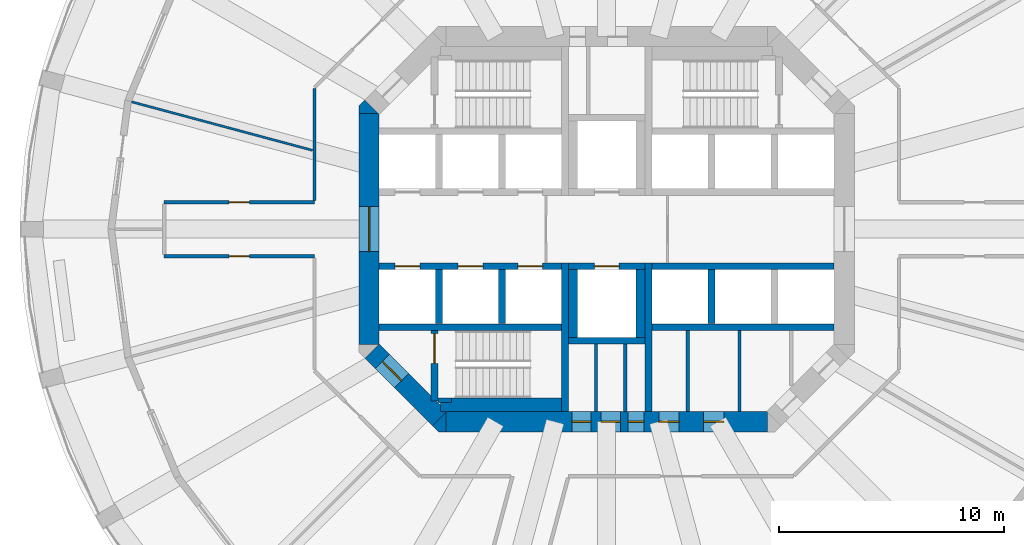
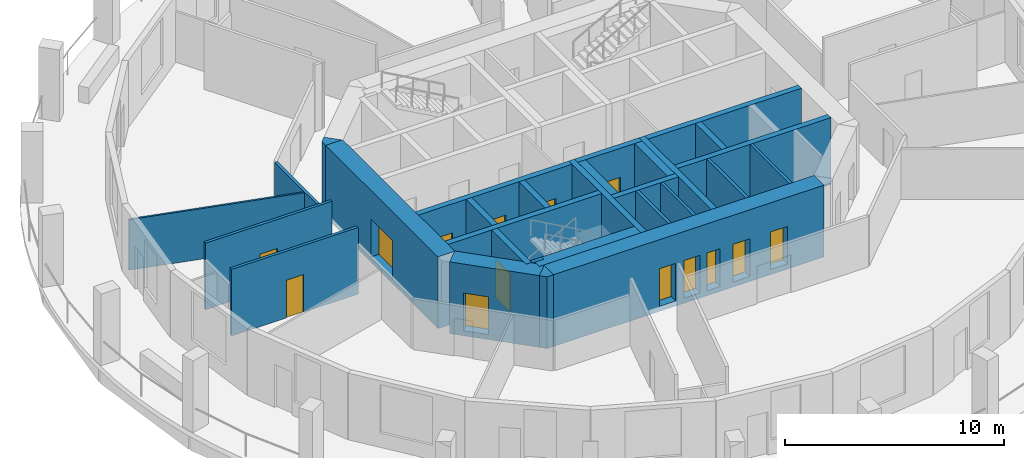
# One storey, part 3 of 9: 29 walls, 14 doors, 14 openings.
"""IFC4 building model written with IfcOpenShell, lengths in metres."""

from ifc_helpers import new_model, si_unit, direction, frame, frame_2d, origin, place, context, subcontext, project, spatial, polyline, rectangle, outline, extrude, material, layer, layer_set, type_object, element, fill, save


model = new_model("IFC4")

# Units and contexts
model_context = context("Model", 3, precision=1e-05, world=origin(), true_north=direction((0.0, 1.0)))
body_context = subcontext(model_context, "Body", "Model", "MODEL_VIEW")
ifc_project = project(units=[si_unit("LENGTHUNIT", "METRE"), si_unit("AREAUNIT", "SQUARE_METRE"), si_unit("VOLUMEUNIT", "CUBIC_METRE"), si_unit("PLANEANGLEUNIT", "RADIAN"), si_unit("MASSUNIT", "GRAM", prefix="KILO")], contexts=[model_context])

# Site, building, storey
site_placement = place(None, origin())
site = spatial("IfcSite", under=ifc_project, at=site_placement, CompositionType="ELEMENT")
building_placement = place(site_placement, origin())
building = spatial("IfcBuilding", under=site, at=building_placement, Name="Torre Triforio", CompositionType="ELEMENT")
storey_placement = place(building_placement, frame((0.0, 0.0, 102.60009765625)))
storey = spatial("IfcBuildingStorey", under=building, at=storey_placement, Name="L22", CompositionType="ELEMENT", Elevation=102.60009765625)

# Walls
ifc_material_1 = material(Name="Concrete C60", Category="concrete")
ifc_layer_1 = layer(ifc_material_1, 0.300048828125)
ifc_layer_set_1 = layer_set([ifc_layer_1], Name="Concrete C60")
wall_type_1 = type_object("IfcWallType", Name="Core wall 300 mm C60 EI 120", PredefinedType="SHEAR", material=ifc_layer_set_1)
for number, where, z_axis, x_axis, name in (
    (1, (-1.85009765625, -8.10009765625, 0.0), (0.0, 0.0, 1.0), (0.0, 1.0, 0.0), "Core wall"),
    (2, (1.85009765625, -8.10009765625, 0.0), (0.0, 0.0, 1.0), (0.0, 1.0, 0.0), "Core wall"),
):
    element("IfcWall", number, at=place(storey_placement, frame(where, z_axis=z_axis, x_axis=x_axis)), inside=storey, type_object=wall_type_1, Name=name, PredefinedType="SHEAR", context=body_context, shape_type="SweptSolid", body=[
        extrude(rectangle(XDim=6.60009765625, YDim=0.300048828125, at=frame_2d((3.300048828125, 0.0))), origin(), (0.0, 0.0, 1.0), 3.719970703125),
    ])

# Wall, openings, doors
ifc_layer_2 = layer(ifc_material_1, 0.89990234375)
ifc_layer_set_2 = layer_set([ifc_layer_2], Name="Concrete C60")
wall_type_2 = type_object("IfcWallType", Name="Core wall 900 mm C60 EI 120", PredefinedType="SHEAR", material=ifc_layer_set_2)
wall_1_placement = place(storey_placement, frame((-7.1298828125, -8.550048828125, -0.280029296875), z_axis=(0.0, 0.0, 1.0), x_axis=(1.0, 0.0, 0.0)))
wall_1 = element("IfcWall", 3, at=wall_1_placement, inside=storey, type_object=wall_type_2, Name="Core wall", PredefinedType="SHEAR", context=body_context, shape_type="SweptSolid", body=[
    extrude(rectangle(XDim=14.259765625, YDim=0.89990234375, at=frame_2d((7.1298828125, 0.0))), origin(), (0.0, 0.0, 1.0), 4.0),
])
opening_1_placement = place(wall_1_placement, frame((8.080078125, 0.0, 0.280029296875)))
opening_1 = element("IfcOpeningElement", 4, at=opening_1_placement, cuts=wall_1, Name="Opening RISER-S", PredefinedType="OPENING", context=body_context, shape_type="SweptSolid", body=[
    extrude(rectangle(XDim=0.699951171875, YDim=2.10009765625, at=frame_2d((0.35009765625, 1.050048828125))), frame((0.0, 0.4599609375, 0.0), z_axis=(0.0, -1.0, 0.0), x_axis=(1.0, 0.0, 0.0)), (0.0, 0.0, 1.0), 0.919921875),
])
opening_2_placement = place(wall_1_placement, frame((5.580078125, 0.0, 0.280029296875)))
opening_2 = element("IfcOpeningElement", 5, at=opening_2_placement, cuts=wall_1, Name="Opening SW-01A", PredefinedType="OPENING", context=body_context, shape_type="SweptSolid", body=[
    extrude(rectangle(XDim=0.85009765625, YDim=2.10009765625, at=frame_2d((0.425048828125, 1.050048828125))), frame((0.0, 0.4599609375, 0.0), z_axis=(0.0, -1.0, 0.0), x_axis=(1.0, 0.0, 0.0)), (0.0, 0.0, 1.0), 0.919921875),
])
opening_3_placement = place(wall_1_placement, frame((6.8798828125, 0.0, 0.280029296875)))
opening_3 = element("IfcOpeningElement", 6, at=opening_3_placement, cuts=wall_1, Name="Opening SW-02", PredefinedType="OPENING", context=body_context, shape_type="SweptSolid", body=[
    extrude(rectangle(XDim=0.85009765625, YDim=2.10009765625, at=frame_2d((0.425048828125, 1.050048828125))), frame((0.0, 0.4599609375, 0.0), z_axis=(0.0, -1.0, 0.0), x_axis=(1.0, 0.0, 0.0)), (0.0, 0.0, 1.0), 0.919921875),
])
opening_4_placement = place(wall_1_placement, frame((9.445068359375, 0.0, 0.280029296875)))
opening_4 = element("IfcOpeningElement", 7, at=opening_4_placement, cuts=wall_1, Name="Opening SE-01A", PredefinedType="OPENING", context=body_context, shape_type="SweptSolid", body=[
    extrude(rectangle(XDim=0.89990234375, YDim=2.10009765625, at=frame_2d((0.449951171875, 1.050048828125))), frame((0.0, 0.4599609375, 0.0), z_axis=(0.0, -1.0, 0.0), x_axis=(1.0, 0.0, 0.0)), (0.0, 0.0, 1.0), 0.919921875),
])
opening_5_placement = place(wall_1_placement, frame((11.430908203125, 0.0, 0.280029296875)))
opening_5 = element("IfcOpeningElement", 8, at=opening_5_placement, cuts=wall_1, Name="Opening SE-02", PredefinedType="OPENING", context=body_context, shape_type="SweptSolid", body=[
    extrude(rectangle(XDim=0.89990234375, YDim=2.10009765625, at=frame_2d((0.449951171875, 1.050048828125))), frame((0.0, 0.4599609375, 0.0), z_axis=(0.0, -1.0, 0.0), x_axis=(1.0, 0.0, 0.0)), (0.0, 0.0, 1.0), 0.919921875),
])
ifc_material_2 = material(Name="Hollow metal fire door leaf")
door_type_1 = type_object("IfcDoorType", Name="Riser door 700 x 2100 EI 60", OperationType="NOTDEFINED", PredefinedType="DOOR", material=ifc_material_2)
door_1_placement = place(opening_1_placement, origin())
door_1 = element("IfcDoor", 9, at=door_1_placement, inside=storey, type_object=door_type_1, Name="Core door RISER-S", OperationType="SINGLE_SWING_RIGHT", OverallHeight=2.10009765625, OverallWidth=0.699951171875, PredefinedType="DOOR", context=body_context, shape_type="SweptSolid", body=[
    extrude(rectangle(XDim=0.699951171875, YDim=2.10009765625, at=frame_2d((0.35009765625, 1.050048828125))), frame((0.0, 0.02490234375, 0.0), z_axis=(0.0, -1.0, 0.0), x_axis=(1.0, 0.0, 0.0)), (0.0, 0.0, 1.0), 0.050048828125),
])
fill(opening_1, door_1)
door_type_2 = type_object("IfcDoorType", Name="Room door 850 x 2100 EI 60", OperationType="NOTDEFINED", PredefinedType="DOOR", material=ifc_material_2)
door_2_placement = place(opening_2_placement, origin())
door_2 = element("IfcDoor", 10, at=door_2_placement, inside=storey, type_object=door_type_2, Name="Core door SW-01", OperationType="SINGLE_SWING_RIGHT", OverallHeight=2.10009765625, OverallWidth=0.85009765625, PredefinedType="DOOR", context=body_context, shape_type="SweptSolid", body=[
    extrude(rectangle(XDim=0.85009765625, YDim=2.10009765625, at=frame_2d((0.425048828125, 1.050048828125))), frame((0.0, 0.02490234375, 0.0), z_axis=(0.0, -1.0, 0.0), x_axis=(1.0, 0.0, 0.0)), (0.0, 0.0, 1.0), 0.050048828125),
])
fill(opening_2, door_2)
door_3_placement = place(opening_3_placement, origin())
door_3 = element("IfcDoor", 11, at=door_3_placement, inside=storey, type_object=door_type_2, Name="Core door SW-02", OperationType="SINGLE_SWING_LEFT", OverallHeight=2.10009765625, OverallWidth=0.85009765625, PredefinedType="DOOR", context=body_context, shape_type="SweptSolid", body=[
    extrude(rectangle(XDim=0.85009765625, YDim=2.10009765625, at=frame_2d((0.425048828125, 1.050048828125))), frame((0.0, 0.02490234375, 0.0), z_axis=(0.0, -1.0, 0.0), x_axis=(1.0, 0.0, 0.0)), (0.0, 0.0, 1.0), 0.050048828125),
])
fill(opening_3, door_3)
door_type_3 = type_object("IfcDoorType", Name="Room door 900 x 2100 EI 60", OperationType="NOTDEFINED", PredefinedType="DOOR", material=ifc_material_2)
door_4_placement = place(opening_4_placement, origin())
door_4 = element("IfcDoor", 12, at=door_4_placement, inside=storey, type_object=door_type_3, Name="Core door SE-01", OperationType="SINGLE_SWING_RIGHT", OverallHeight=2.10009765625, OverallWidth=0.89990234375, PredefinedType="DOOR", context=body_context, shape_type="SweptSolid", body=[
    extrude(rectangle(XDim=0.89990234375, YDim=2.10009765625, at=frame_2d((0.449951171875, 1.050048828125))), frame((0.0, 0.02490234375, 0.0), z_axis=(0.0, -1.0, 0.0), x_axis=(1.0, 0.0, 0.0)), (0.0, 0.0, 1.0), 0.050048828125),
])
fill(opening_4, door_4)
door_5_placement = place(opening_5_placement, origin())
door_5 = element("IfcDoor", 13, at=door_5_placement, inside=storey, type_object=door_type_3, Name="Core door SE-02", OperationType="SINGLE_SWING_LEFT", OverallHeight=2.10009765625, OverallWidth=0.89990234375, PredefinedType="DOOR", context=body_context, shape_type="SweptSolid", body=[
    extrude(rectangle(XDim=0.89990234375, YDim=2.10009765625, at=frame_2d((0.449951171875, 1.050048828125))), frame((0.0, 0.02490234375, 0.0), z_axis=(0.0, -1.0, 0.0), x_axis=(1.0, 0.0, 0.0)), (0.0, 0.0, 1.0), 0.050048828125),
])
fill(opening_5, door_5)

# Wall, opening, door
wall_2_placement = place(storey_placement, frame((-10.550048828125, -5.1298828125, -0.280029296875), z_axis=(0.0, 0.0, 1.0), x_axis=(0.0, 1.0, 0.0)))
wall_2 = element("IfcWall", 14, at=wall_2_placement, inside=storey, type_object=wall_type_2, Name="Core wall", PredefinedType="SHEAR", context=body_context, shape_type="SweptSolid", body=[
    extrude(rectangle(XDim=10.259765625, YDim=0.89990234375, at=frame_2d((5.1298828125, 0.0))), origin(), (0.0, 0.0, 1.0), 4.0),
])
opening_6_placement = place(wall_2_placement, frame((4.1298828125, 0.0, 0.280029296875)))
opening_6 = element("IfcOpeningElement", 15, at=opening_6_placement, cuts=wall_2, Name="Opening W-RING", PredefinedType="OPENING", context=body_context, shape_type="SweptSolid", body=[
    extrude(rectangle(XDim=2.0, YDim=2.10009765625, at=frame_2d((1.0, 1.050048828125))), frame((0.0, 0.4599609375, 0.0), z_axis=(0.0, -1.0, 0.0), x_axis=(1.0, 0.0, 0.0)), (0.0, 0.0, 1.0), 0.919921875),
])
door_type_4 = type_object("IfcDoorType", Name="Lobby door 2000 x 2100 EI 60", OperationType="DOUBLE_DOOR_SINGLE_SWING", PredefinedType="DOOR", material=ifc_material_2)
door_6_placement = place(opening_6_placement, origin())
door_6 = element("IfcDoor", 16, at=door_6_placement, inside=storey, type_object=door_type_4, Name="Core door W-RING", OperationType="DOUBLE_DOOR_SINGLE_SWING", OverallHeight=2.10009765625, OverallWidth=2.0, PredefinedType="DOOR", context=body_context, shape_type="SweptSolid", body=[
    extrude(rectangle(XDim=2.0, YDim=2.10009765625, at=frame_2d((1.0, 1.050048828125))), frame((0.0, 0.02490234375, 0.0), z_axis=(0.0, -1.0, 0.0), x_axis=(1.0, 0.0, 0.0)), (0.0, 0.0, 1.0), 0.050048828125),
])
fill(opening_6, door_6)

wall_3_placement = place(storey_placement, frame((-7.418212890625, -8.418212890625, -0.280029296875), z_axis=(0.0, 0.0, 1.0), x_axis=(-0.707106781187, 0.707106781187, 0.0)))
wall_3 = element("IfcWall", 17, at=wall_3_placement, inside=storey, type_object=wall_type_2, Name="Core wall", PredefinedType="SHEAR", context=body_context, shape_type="SweptSolid", body=[
    extrude(rectangle(XDim=4.24267578125, YDim=0.89990234375, at=frame_2d((2.121337890625, 0.0))), origin(), (0.0, 0.0, 1.0), 4.0),
])
opening_7_placement = place(wall_3_placement, frame((2.392578125, 0.0, 0.280029296875)))
opening_7 = element("IfcOpeningElement", 18, at=opening_7_placement, cuts=wall_3, Name="Opening ST3-EXIT", PredefinedType="OPENING", context=body_context, shape_type="SweptSolid", body=[
    extrude(rectangle(XDim=1.199951171875, YDim=2.10009765625, at=frame_2d((0.60009765625, 1.050048828125))), frame((0.0, 0.4599609375, 0.0), z_axis=(0.0, -1.0, 0.0), x_axis=(1.0, 0.0, 0.0)), (0.0, 0.0, 1.0), 0.919921875),
])
door_type_5 = type_object("IfcDoorType", Name="Stair lobby door 1200 x 2100 EI 60", OperationType="NOTDEFINED", PredefinedType="DOOR", material=ifc_material_2)
door_7_placement = place(opening_7_placement, origin())
door_7 = element("IfcDoor", 19, at=door_7_placement, inside=storey, type_object=door_type_5, Name="Core door ST3-EXIT", OperationType="SINGLE_SWING_RIGHT", OverallHeight=2.10009765625, OverallWidth=1.199951171875, PredefinedType="DOOR", context=body_context, shape_type="SweptSolid", body=[
    extrude(rectangle(XDim=1.199951171875, YDim=2.10009765625, at=frame_2d((0.60009765625, 1.050048828125))), frame((0.0, 0.02490234375, 0.0), z_axis=(0.0, -1.0, 0.0), x_axis=(1.0, 0.0, 0.0)), (0.0, 0.0, 1.0), 0.050048828125),
])
fill(opening_7, door_7)

# Walls
wall_4_placement = place(storey_placement, frame((0.0, 0.0, -0.280029296875)))
element("IfcWall", 20, at=wall_4_placement, inside=storey, type_object=wall_type_2, Name="Core wall", PredefinedType="SHEAR", context=body_context, shape_type="SweptSolid", body=[
    extrude(outline(polyline([(-7.472900390625, -9.0), (-7.736328125, -8.736328125), (-7.1298828125, -8.1298828125), (-7.1298828125, -9.0), (-7.472900390625, -9.0)])), origin(), (0.0, 0.0, 1.0), 4.0),
])
wall_5_placement = place(storey_placement, frame((0.0, 0.0, -0.280029296875)))
element("IfcWall", 21, at=wall_5_placement, inside=storey, type_object=wall_type_2, Name="Core wall", PredefinedType="SHEAR", context=body_context, shape_type="SweptSolid", body=[
    extrude(outline(polyline([(-10.736328125, 5.736328125), (-10.1298828125, 5.1298828125), (-11.0, 5.1298828125), (-11.0, 5.472900390625), (-10.736328125, 5.736328125)])), origin(), (0.0, 0.0, 1.0), 4.0),
])

# Wall, opening, door
ifc_material_3 = material(Name="Plasterboard on metal studs")
ifc_layer_3 = layer(ifc_material_3, 0.14990234375)
ifc_layer_set_3 = layer_set([ifc_layer_3], Name="Plasterboard on metal studs")
wall_type_3 = type_object("IfcWallType", Name="Corridor and tenancy wall 150 mm EI 60", PredefinedType="PARTITIONING", material=ifc_layer_set_3)
wall_6_placement = place(storey_placement, frame((-12.97509765625, -1.199951171875, 0.0), z_axis=(0.0, 0.0, 1.0), x_axis=(-1.0, 0.0, 0.0)))
wall_6 = element("IfcWall", 22, at=wall_6_placement, inside=storey, type_object=wall_type_3, Name="Partition 3", PredefinedType="PARTITIONING", context=body_context, shape_type="SweptSolid", body=[
    extrude(rectangle(XDim=6.673583984375, YDim=0.14990234375, at=frame_2d((3.3369140625, 0.0))), origin(), (0.0, 0.0, 1.0), 3.719970703125),
])
opening_8_placement = place(wall_6_placement, frame((2.886962890625, 0.0, 0.0)))
opening_8 = element("IfcOpeningElement", 23, at=opening_8_placement, cuts=wall_6, Name="Opening N7-03", PredefinedType="OPENING", context=body_context, shape_type="SweptSolid", body=[
    extrude(rectangle(XDim=0.89990234375, YDim=2.10009765625, at=frame_2d((0.449951171875, 1.050048828125))), frame((0.0, 0.0849609375, 0.0), z_axis=(0.0, -1.0, 0.0), x_axis=(1.0, 0.0, 0.0)), (0.0, 0.0, 1.0), 0.169921875),
])
ifc_material_4 = material(Name="Timber", Category="wood")
door_type_6 = type_object("IfcDoorType", Name="Door 900 x 2100 single leaf EI 30", OperationType="NOTDEFINED", PredefinedType="DOOR", material=ifc_material_4)
door_8_placement = place(opening_8_placement, origin())
door_8 = element("IfcDoor", 24, at=door_8_placement, inside=storey, type_object=door_type_6, Name="Door N7-03", OperationType="SINGLE_SWING_RIGHT", OverallHeight=2.10009765625, OverallWidth=0.89990234375, PredefinedType="DOOR", context=body_context, shape_type="SweptSolid", body=[
    extrude(rectangle(XDim=0.89990234375, YDim=2.10009765625, at=frame_2d((0.449951171875, 1.050048828125))), frame((0.0, 0.02490234375, 0.0), z_axis=(0.0, -1.0, 0.0), x_axis=(1.0, 0.0, 0.0)), (0.0, 0.0, 1.0), 0.050048828125),
])
fill(opening_8, door_8)

wall_7_placement = place(storey_placement, frame((-19.648681640625, 1.199951171875, 0.0), z_axis=(0.0, 0.0, 1.0), x_axis=(1.0, 0.0, 0.0)))
wall_7 = element("IfcWall", 25, at=wall_7_placement, inside=storey, type_object=wall_type_3, Name="Partition 5", PredefinedType="PARTITIONING", context=body_context, shape_type="SweptSolid", body=[
    extrude(rectangle(XDim=6.673583984375, YDim=0.14990234375, at=frame_2d((3.3369140625, 0.0))), origin(), (0.0, 0.0, 1.0), 3.719970703125),
])
opening_9_placement = place(wall_7_placement, frame((2.886962890625, 0.0, 0.0)))
opening_9 = element("IfcOpeningElement", 26, at=opening_9_placement, cuts=wall_7, Name="Opening N7-02", PredefinedType="OPENING", context=body_context, shape_type="SweptSolid", body=[
    extrude(rectangle(XDim=0.89990234375, YDim=2.10009765625, at=frame_2d((0.449951171875, 1.050048828125))), frame((0.0, 0.0849609375, 0.0), z_axis=(0.0, -1.0, 0.0), x_axis=(1.0, 0.0, 0.0)), (0.0, 0.0, 1.0), 0.169921875),
])
door_9_placement = place(opening_9_placement, origin())
door_9 = element("IfcDoor", 27, at=door_9_placement, inside=storey, type_object=door_type_6, Name="Door N7-02", OperationType="SINGLE_SWING_RIGHT", OverallHeight=2.10009765625, OverallWidth=0.89990234375, PredefinedType="DOOR", context=body_context, shape_type="SweptSolid", body=[
    extrude(rectangle(XDim=0.89990234375, YDim=2.10009765625, at=frame_2d((0.449951171875, 1.050048828125))), frame((0.0, 0.02490234375, 0.0), z_axis=(0.0, -1.0, 0.0), x_axis=(1.0, 0.0, 0.0)), (0.0, 0.0, 1.0), 0.050048828125),
])
fill(opening_9, door_9)

# Walls
wall_8_placement = place(storey_placement, frame((-12.97509765625, 1.27490234375, 0.0), z_axis=(0.0, 0.0, 1.0), x_axis=(0.0, 1.0, 0.0)))
element("IfcWall", 28, at=wall_8_placement, inside=storey, type_object=wall_type_3, Name="Partition 6", PredefinedType="PARTITIONING", context=body_context, shape_type="SweptSolid", body=[
    extrude(rectangle(XDim=4.96337890625, YDim=0.14990234375, at=frame_2d((2.481689453125, 0.0))), origin(), (0.0, 0.0, 1.0), 2.81982421875),
])
ifc_layer_4 = layer(ifc_material_3, 0.10009765625)
ifc_layer_set_4 = layer_set([ifc_layer_4], Name="Plasterboard on metal studs")
wall_type_4 = type_object("IfcWallType", Name="Partition 100 mm board on metal studs", PredefinedType="PARTITIONING", material=ifc_layer_set_4)
wall_9_placement = place(storey_placement, frame((-13.064208984375, 3.50048828125, 0.0), z_axis=(0.0, 0.0, 1.0), x_axis=(-0.965920254223, 0.258839839442, 0.0)))
element("IfcWall", 29, at=wall_9_placement, inside=storey, type_object=wall_type_4, Name="Partition 38", PredefinedType="PARTITIONING", context=body_context, shape_type="SweptSolid", body=[
    extrude(rectangle(XDim=8.3115234375, YDim=0.10009765625, at=frame_2d((4.15576171875, 0.0))), origin(), (0.0, 0.0, 1.0), 2.81982421875),
])
ifc_material_5 = material(Name="Block and board partition")
ifc_layer_5 = layer(ifc_material_5, 0.14990234375)
ifc_layer_set_5 = layer_set([ifc_layer_5], Name="Block and board partition")
wall_type_5 = type_object("IfcWallType", Name="Partition 150 mm", PredefinedType="PARTITIONING", material=ifc_layer_set_5)
wall_10_placement = place(storey_placement, frame((-0.47509765625, -8.10009765625, 0.0), z_axis=(0.0, 0.0, 1.0), x_axis=(0.0, 1.0, 0.0)))
element("IfcWall", 30, at=wall_10_placement, inside=storey, type_object=wall_type_5, Name="Partition", PredefinedType="PARTITIONING", context=body_context, shape_type="SweptSolid", body=[
    extrude(rectangle(XDim=3.0, YDim=0.14990234375, at=frame_2d((1.5, 0.0))), origin(), (0.0, 0.0, 1.0), 3.719970703125),
])
for number, where, z_axis, x_axis, name in (
    (31, (3.60498046875, -8.10009765625, 0.0), (0.0, 0.0, 1.0), (0.0, 1.0, 0.0), "Partition"),
    (32, (5.89697265625, -8.10009765625, 0.0), (0.0, 0.0, 1.0), (0.0, 1.0, 0.0), "Partition"),
):
    element("IfcWall", number, at=place(storey_placement, frame(where, z_axis=z_axis, x_axis=x_axis)), inside=storey, type_object=wall_type_5, Name=name, PredefinedType="PARTITIONING", context=body_context, shape_type="SweptSolid", body=[
        extrude(rectangle(XDim=3.60009765625, YDim=0.14990234375, at=frame_2d((1.800048828125, 0.0))), origin(), (0.0, 0.0, 1.0), 3.719970703125),
    ])
ifc_layer_6 = layer(ifc_material_5, 0.14990234375)
ifc_layer_set_6 = layer_set([ifc_layer_6], Name="Block and board partition")
wall_type_6 = type_object("IfcWallType", Name="Partition 150 mm EI 120", PredefinedType="PARTITIONING", material=ifc_layer_set_6)
wall_11_placement = place(storey_placement, frame((0.824951171875, -8.10009765625, 0.0), z_axis=(0.0, 0.0, 1.0), x_axis=(0.0, 1.0, 0.0)))
element("IfcWall", 33, at=wall_11_placement, inside=storey, type_object=wall_type_6, Name="Partition", PredefinedType="PARTITIONING", context=body_context, shape_type="SweptSolid", body=[
    extrude(rectangle(XDim=3.0, YDim=0.14990234375, at=frame_2d((1.5, 0.0))), origin(), (0.0, 0.0, 1.0), 3.719970703125),
])
ifc_layer_7 = layer(ifc_material_1, 0.300048828125)
ifc_layer_set_7 = layer_set([ifc_layer_7], Name="Concrete C60")
wall_type_7 = type_object("IfcWallType", Name="Shaft wall 300 mm C60 EI 120", PredefinedType="SOLIDWALL", material=ifc_layer_set_7)
for number, where, z_axis, x_axis, name in (
    (34, (-10.10009765625, -4.35009765625, 0.0), (0.0, 0.0, 1.0), (1.0, 0.0, 0.0), "Shaft wall"),
    (35, (2.0, -4.35009765625, 0.0), (0.0, 0.0, 1.0), (1.0, 0.0, 0.0), "Shaft wall"),
):
    element("IfcWall", number, at=place(storey_placement, frame(where, z_axis=z_axis, x_axis=x_axis)), inside=storey, type_object=wall_type_7, Name=name, PredefinedType="SOLIDWALL", context=body_context, shape_type="SweptSolid", body=[
        extrude(rectangle(XDim=8.10009765625, YDim=0.300048828125, at=frame_2d((4.050048828125, 0.0))), origin(), (0.0, 0.0, 1.0), 3.719970703125),
    ])

# Wall, openings, doors
wall_12_placement = place(storey_placement, frame((-10.10009765625, -1.64990234375, 0.0), z_axis=(0.0, 0.0, 1.0), x_axis=(1.0, 0.0, 0.0)))
wall_12 = element("IfcWall", 36, at=wall_12_placement, inside=storey, type_object=wall_type_7, Name="Shaft wall", PredefinedType="SOLIDWALL", context=body_context, shape_type="SweptSolid", body=[
    extrude(rectangle(XDim=8.10009765625, YDim=0.300048828125, at=frame_2d((4.050048828125, 0.0))), origin(), (0.0, 0.0, 1.0), 3.719970703125),
])
opening_10_placement = place(wall_12_placement, frame((0.699951171875, 0.0, 0.0)))
opening_10 = element("IfcOpeningElement", 37, at=opening_10_placement, cuts=wall_12, Name="Opening LD", PredefinedType="OPENING", context=body_context, shape_type="SweptSolid", body=[
    extrude(rectangle(XDim=1.10009765625, YDim=2.10009765625, at=frame_2d((0.550048828125, 1.050048828125))), frame((0.0, 0.159912109375, 0.0), z_axis=(0.0, -1.0, 0.0), x_axis=(1.0, 0.0, 0.0)), (0.0, 0.0, 1.0), 0.320068359375),
])
opening_11_placement = place(wall_12_placement, frame((3.5, 0.0, 0.0)))
opening_11 = element("IfcOpeningElement", 38, at=opening_11_placement, cuts=wall_12, Name="Opening LD", PredefinedType="OPENING", context=body_context, shape_type="SweptSolid", body=[
    extrude(rectangle(XDim=1.10009765625, YDim=2.10009765625, at=frame_2d((0.550048828125, 1.050048828125))), frame((0.0, 0.159912109375, 0.0), z_axis=(0.0, -1.0, 0.0), x_axis=(1.0, 0.0, 0.0)), (0.0, 0.0, 1.0), 0.320068359375),
])
opening_12_placement = place(wall_12_placement, frame((6.14990234375, 0.0, 0.0)))
opening_12 = element("IfcOpeningElement", 39, at=opening_12_placement, cuts=wall_12, Name="Opening LD", PredefinedType="OPENING", context=body_context, shape_type="SweptSolid", body=[
    extrude(rectangle(XDim=1.10009765625, YDim=2.10009765625, at=frame_2d((0.550048828125, 1.050048828125))), frame((0.0, 0.159912109375, 0.0), z_axis=(0.0, -1.0, 0.0), x_axis=(1.0, 0.0, 0.0)), (0.0, 0.0, 1.0), 0.320068359375),
])
door_type_7 = type_object("IfcDoorType", Name="Landing door 1100 x 2100 EI 60", OperationType="DOUBLE_DOOR_SLIDING", PredefinedType="DOOR", material=ifc_material_2)
door_10_placement = place(opening_10_placement, origin())
door_10 = element("IfcDoor", 40, at=door_10_placement, inside=storey, type_object=door_type_7, Name="Landing door LR4", OperationType="DOUBLE_DOOR_SLIDING", OverallHeight=2.10009765625, OverallWidth=1.10009765625, PredefinedType="DOOR", context=body_context, shape_type="SweptSolid", body=[
    extrude(rectangle(XDim=1.10009765625, YDim=2.10009765625, at=frame_2d((0.550048828125, 1.050048828125))), frame((0.0, 0.02490234375, 0.0), z_axis=(0.0, -1.0, 0.0), x_axis=(1.0, 0.0, 0.0)), (0.0, 0.0, 1.0), 0.050048828125),
])
fill(opening_10, door_10)
door_11_placement = place(opening_11_placement, origin())
door_11 = element("IfcDoor", 41, at=door_11_placement, inside=storey, type_object=door_type_7, Name="Landing door LR5", OperationType="DOUBLE_DOOR_SLIDING", OverallHeight=2.10009765625, OverallWidth=1.10009765625, PredefinedType="DOOR", context=body_context, shape_type="SweptSolid", body=[
    extrude(rectangle(XDim=1.10009765625, YDim=2.10009765625, at=frame_2d((0.550048828125, 1.050048828125))), frame((0.0, 0.02490234375, 0.0), z_axis=(0.0, -1.0, 0.0), x_axis=(1.0, 0.0, 0.0)), (0.0, 0.0, 1.0), 0.050048828125),
])
fill(opening_11, door_11)
door_12_placement = place(opening_12_placement, origin())
door_12 = element("IfcDoor", 42, at=door_12_placement, inside=storey, type_object=door_type_7, Name="Landing door LR6", OperationType="DOUBLE_DOOR_SLIDING", OverallHeight=2.10009765625, OverallWidth=1.10009765625, PredefinedType="DOOR", context=body_context, shape_type="SweptSolid", body=[
    extrude(rectangle(XDim=1.10009765625, YDim=2.10009765625, at=frame_2d((0.550048828125, 1.050048828125))), frame((0.0, 0.02490234375, 0.0), z_axis=(0.0, -1.0, 0.0), x_axis=(1.0, 0.0, 0.0)), (0.0, 0.0, 1.0), 0.050048828125),
])
fill(opening_12, door_12)

# Walls
wall_13_placement = place(storey_placement, frame((2.0, -1.64990234375, 0.0), z_axis=(0.0, 0.0, 1.0), x_axis=(1.0, 0.0, 0.0)))
element("IfcWall", 43, at=wall_13_placement, inside=storey, type_object=wall_type_7, Name="Shaft wall", PredefinedType="SOLIDWALL", context=body_context, shape_type="SweptSolid", body=[
    extrude(rectangle(XDim=8.10009765625, YDim=0.300048828125, at=frame_2d((4.050048828125, 0.0))), origin(), (0.0, 0.0, 1.0), 3.719970703125),
])
for number, where, z_axis, x_axis, name in (
    (44, (-7.449951171875, -4.199951171875, 0.0), (0.0, 0.0, 1.0), (0.0, 1.0, 0.0), "Shaft wall"),
    (45, (-4.64990234375, -4.199951171875, 0.0), (0.0, 0.0, 1.0), (0.0, 1.0, 0.0), "Shaft wall"),
    (46, (4.64990234375, -4.199951171875, 0.0), (0.0, 0.0, 1.0), (0.0, 1.0, 0.0), "Shaft wall"),
):
    element("IfcWall", number, at=place(storey_placement, frame(where, z_axis=z_axis, x_axis=x_axis)), inside=storey, type_object=wall_type_7, Name=name, PredefinedType="SOLIDWALL", context=body_context, shape_type="SweptSolid", body=[
        extrude(rectangle(XDim=2.39990234375, YDim=0.300048828125, at=frame_2d((1.199951171875, 0.0))), origin(), (0.0, 0.0, 1.0), 3.719970703125),
    ])

# Wall, opening, door
wall_14_placement = place(storey_placement, frame((-1.699951171875, -1.64990234375, 0.0), z_axis=(0.0, 0.0, 1.0), x_axis=(1.0, 0.0, 0.0)))
wall_14 = element("IfcWall", 47, at=wall_14_placement, inside=storey, type_object=wall_type_7, Name="Shaft wall", PredefinedType="SOLIDWALL", context=body_context, shape_type="SweptSolid", body=[
    extrude(rectangle(XDim=3.39990234375, YDim=0.300048828125, at=frame_2d((1.699951171875, 0.0))), origin(), (0.0, 0.0, 1.0), 3.719970703125),
])
opening_13_placement = place(wall_14_placement, frame((1.14990234375, 0.0, 0.0)))
opening_13 = element("IfcOpeningElement", 48, at=opening_13_placement, cuts=wall_14, Name="Opening LD", PredefinedType="OPENING", context=body_context, shape_type="SweptSolid", body=[
    extrude(rectangle(XDim=1.10009765625, YDim=2.10009765625, at=frame_2d((0.550048828125, 1.050048828125))), frame((0.0, 0.159912109375, 0.0), z_axis=(0.0, -1.0, 0.0), x_axis=(1.0, 0.0, 0.0)), (0.0, 0.0, 1.0), 0.320068359375),
])
door_13_placement = place(opening_13_placement, origin())
door_13 = element("IfcDoor", 49, at=door_13_placement, inside=storey, type_object=door_type_7, Name="Landing door FFL2", OperationType="DOUBLE_DOOR_SLIDING", OverallHeight=2.10009765625, OverallWidth=1.10009765625, PredefinedType="DOOR", context=body_context, shape_type="SweptSolid", body=[
    extrude(rectangle(XDim=1.10009765625, YDim=2.10009765625, at=frame_2d((0.550048828125, 1.050048828125))), frame((0.0, 0.02490234375, 0.0), z_axis=(0.0, -1.0, 0.0), x_axis=(1.0, 0.0, 0.0)), (0.0, 0.0, 1.0), 0.050048828125),
])
fill(opening_13, door_13)

# Walls
wall_15_placement = place(storey_placement, frame((-1.699951171875, -4.949951171875, 0.0), z_axis=(0.0, 0.0, 1.0), x_axis=(1.0, 0.0, 0.0)))
element("IfcWall", 50, at=wall_15_placement, inside=storey, type_object=wall_type_7, Name="Shaft wall", PredefinedType="SOLIDWALL", context=body_context, shape_type="SweptSolid", body=[
    extrude(rectangle(XDim=3.39990234375, YDim=0.300048828125, at=frame_2d((1.699951171875, 0.0))), origin(), (0.0, 0.0, 1.0), 3.719970703125),
])
ifc_layer_8 = layer(ifc_material_1, 0.39990234375)
ifc_layer_set_8 = layer_set([ifc_layer_8], Name="Concrete C60")
wall_type_8 = type_object("IfcWallType", Name="Shaft wall 400 mm C60 EI 120", PredefinedType="SOLIDWALL", material=ifc_layer_set_8)
for number, where, z_axis, x_axis, name in (
    (51, (-1.5, -4.800048828125, 0.0), (0.0, 0.0, 1.0), (0.0, 1.0, 0.0), "Shaft wall"),
    (52, (1.5, -4.800048828125, 0.0), (0.0, 0.0, 1.0), (0.0, 1.0, 0.0), "Shaft wall"),
):
    element("IfcWall", number, at=place(storey_placement, frame(where, z_axis=z_axis, x_axis=x_axis)), inside=storey, type_object=wall_type_8, Name=name, PredefinedType="SOLIDWALL", context=body_context, shape_type="SweptSolid", body=[
        extrude(rectangle(XDim=3.0, YDim=0.39990234375, at=frame_2d((1.5, 0.0))), origin(), (0.0, 0.0, 1.0), 3.719970703125),
    ])
ifc_layer_9 = layer(ifc_material_1, 0.199951171875)
ifc_layer_set_9 = layer_set([ifc_layer_9], Name="Concrete C60")
wall_type_9 = type_object("IfcWallType", Name="Stair wall 200 mm C60 EI 120", PredefinedType="SHEAR", material=ifc_layer_set_9)
wall_16_placement = place(storey_placement, frame((-7.5, -7.60009765625, 0.0), z_axis=(0.0, 0.0, 1.0), x_axis=(1.0, 0.0, 0.0)))
element("IfcWall", 53, at=wall_16_placement, inside=storey, type_object=wall_type_9, Name="Stair wall", PredefinedType="SHEAR", context=body_context, shape_type="SweptSolid", body=[
    extrude(rectangle(XDim=0.60009765625, YDim=0.199951171875, at=frame_2d((0.300048828125, 0.0))), origin(), (0.0, 0.0, 1.0), 3.719970703125),
])

# Wall, opening, door
ifc_layer_10 = layer(ifc_material_1, 0.300048828125)
ifc_layer_set_10 = layer_set([ifc_layer_10], Name="Concrete C60")
wall_type_10 = type_object("IfcWallType", Name="Stair wall 300 mm C60 EI 120", PredefinedType="SHEAR", material=ifc_layer_set_10)
wall_17_placement = place(storey_placement, frame((-7.64990234375, -7.639892578125, 0.0), z_axis=(0.0, 0.0, 1.0), x_axis=(0.0, 1.0, 0.0)))
wall_17 = element("IfcWall", 54, at=wall_17_placement, inside=storey, type_object=wall_type_10, Name="Stair wall", PredefinedType="SHEAR", context=body_context, shape_type="SweptSolid", body=[
    extrude(rectangle(XDim=3.139892578125, YDim=0.300048828125, at=frame_2d((1.56982421875, 0.0))), origin(), (0.0, 0.0, 1.0), 3.719970703125),
])
opening_14_placement = place(wall_17_placement, frame((1.679931640625, 0.0, 0.0)))
opening_14 = element("IfcOpeningElement", 55, at=opening_14_placement, cuts=wall_17, Name="Opening ST3-STA", PredefinedType="OPENING", context=body_context, shape_type="SweptSolid", body=[
    extrude(rectangle(XDim=1.320068359375, YDim=2.10009765625, at=frame_2d((0.66015625, 1.050048828125))), frame((0.0, 0.159912109375, 0.0), z_axis=(0.0, -1.0, 0.0), x_axis=(1.0, 0.0, 0.0)), (0.0, 0.0, 1.0), 0.320068359375),
])
door_type_8 = type_object("IfcDoorType", Name="Stair door 1320 x 2100 EI 90", OperationType="DOUBLE_DOOR_SINGLE_SWING", PredefinedType="DOOR", material=ifc_material_2)
door_14_placement = place(opening_14_placement, origin())
door_14 = element("IfcDoor", 56, at=door_14_placement, inside=storey, type_object=door_type_8, Name="Core door ST3-ST", OperationType="DOUBLE_DOOR_SINGLE_SWING", OverallHeight=2.10009765625, OverallWidth=1.320068359375, PredefinedType="DOOR", context=body_context, shape_type="SweptSolid", body=[
    extrude(rectangle(XDim=1.320068359375, YDim=2.10009765625, at=frame_2d((0.66015625, 1.050048828125))), frame((0.0, 0.02490234375, 0.0), z_axis=(0.0, -1.0, 0.0), x_axis=(1.0, 0.0, 0.0)), (0.0, 0.0, 1.0), 0.050048828125),
])
fill(opening_14, door_14)

# Wall
ifc_layer_11 = layer(ifc_material_1, 0.60009765625)
ifc_layer_set_11 = layer_set([ifc_layer_11], Name="Concrete C60")
wall_type_11 = type_object("IfcWallType", Name="Stair wall 600 mm C60 EI 120", PredefinedType="SHEAR", material=ifc_layer_set_11)
wall_18_placement = place(storey_placement, frame((-7.3701171875, -7.800048828125, 0.0), z_axis=(0.0, 0.0, 1.0), x_axis=(1.0, 0.0, 0.0)))
element("IfcWall", 57, at=wall_18_placement, inside=storey, type_object=wall_type_11, Name="Stair wall", PredefinedType="SHEAR", context=body_context, shape_type="SweptSolid", body=[
    extrude(rectangle(XDim=5.3701171875, YDim=0.60009765625, at=frame_2d((2.68505859375, 0.0))), origin(), (0.0, 0.0, 1.0), 3.719970703125),
])

save(model, "model.ifc")
